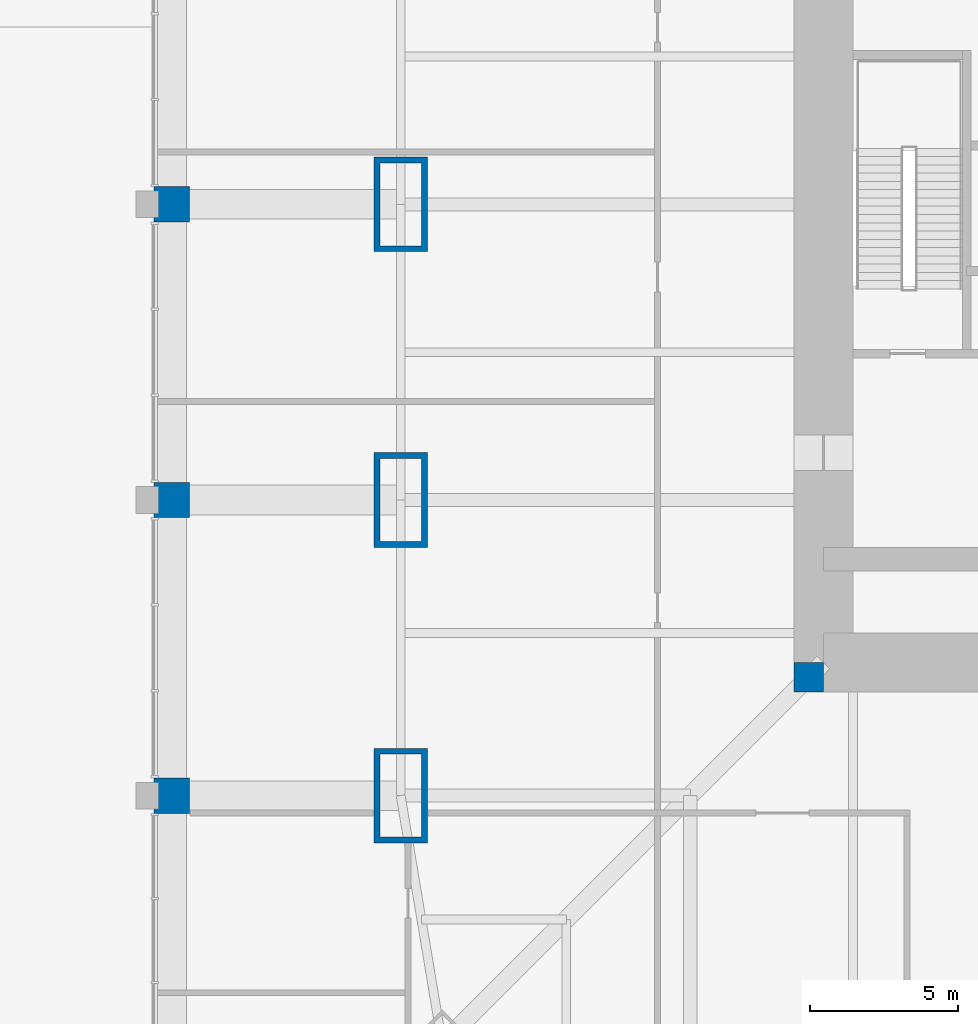
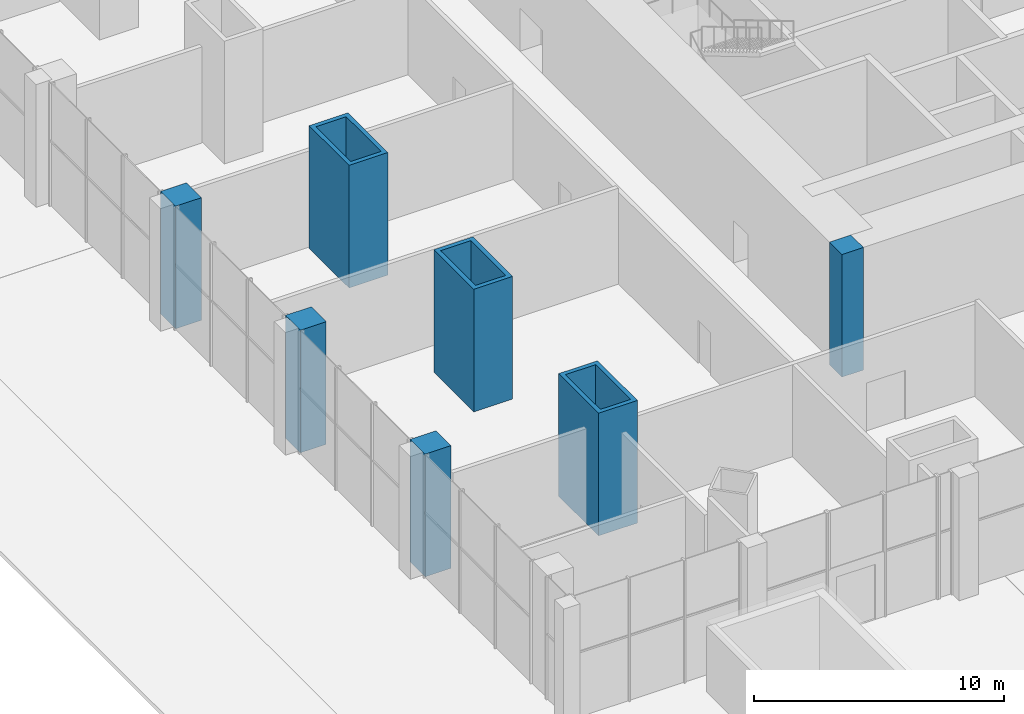
# One storey, part 3 of 31: 7 columns.
"""IFC4 building model written with IfcOpenShell, lengths in metres."""

from ifc_helpers import new_model, si_unit, direction, frame, origin, origin_2d, place, context, subcontext, project, spatial, rectangle, hollow_rectangle, extrude, material, material_profile, profile_set, type_object, element, save


model = new_model("IFC4")

# Units and contexts
model_context = context("Model", 3, precision=1e-05, world=origin(), true_north=direction((0.0, 1.0)))
body_context = subcontext(model_context, "Body", "Model", "MODEL_VIEW")
ifc_project = project(units=[si_unit("LENGTHUNIT", "METRE"), si_unit("AREAUNIT", "SQUARE_METRE"), si_unit("VOLUMEUNIT", "CUBIC_METRE"), si_unit("PLANEANGLEUNIT", "RADIAN"), si_unit("MASSUNIT", "GRAM", prefix="KILO")], contexts=[model_context])

# Site, building, storey
site_placement = place(None, origin())
site = spatial("IfcSite", under=ifc_project, at=site_placement, CompositionType="ELEMENT")
building_placement = place(site_placement, origin())
building = spatial("IfcBuilding", under=site, at=building_placement, Name="Khuree Lantern Residences", CompositionType="ELEMENT")
storey_placement = place(building_placement, origin())
storey = spatial("IfcBuildingStorey", under=building, at=storey_placement, Name="L00", CompositionType="ELEMENT", Elevation=0.0)

# Columns
ifc_material_1 = material(Name="Concrete C70/85", Category="concrete")
ifc_material_profile_1 = material_profile(ifc_material_1, rectangle(XDim=1.0, YDim=1.0, at=origin_2d()), Name="RC 1000X1000")
ifc_profile_set_1 = profile_set([ifc_material_profile_1], Name="Concrete C70/85")
column_type_1 = type_object("IfcColumnType", Name="CP1000-C70 CORE CORNER PIER C70 RC 1000X1000", PredefinedType="COLUMN", material=ifc_profile_set_1)
column_placement = place(storey_placement, frame((-16.0, -16.0, -0.300048828125), z_axis=(0.0, 0.0, 1.0), x_axis=(1.0, 0.0, 0.0)))
element("IfcColumn", 1, at=column_placement, inside=storey, type_object=column_type_1, Name="Core corner pier SW", PredefinedType="COLUMN", context=body_context, shape_type="SweptSolid", body=[
    extrude(rectangle(XDim=1.0, YDim=1.0, at=origin_2d()), origin(), (0.0, 0.0, 1.0), 6.0),
])
ifc_material_profile_2 = material_profile(ifc_material_1, rectangle(XDim=1.199951171875, YDim=1.199951171875, at=origin_2d()), Name="RC 1200X1200")
ifc_profile_set_2 = profile_set([ifc_material_profile_2], Name="Concrete C70/85")
column_type_2 = type_object("IfcColumnType", Name="GC1 PODIUM COLUMN RC 1200X1200", PredefinedType="COLUMN", material=ifc_profile_set_2)
for number, where, z_axis, x_axis, name in (
    (2, (-37.550048828125, -20.0, 0.0), (0.0, 0.0, 1.0), (1.0, 0.0, 0.0), "Column GC-19"),
    (3, (-37.550048828125, -10.0, 0.0), (0.0, 0.0, 1.0), (1.0, 0.0, 0.0), "Column GC-21"),
    (4, (-37.550048828125, 0.0, 0.0), (0.0, 0.0, 1.0), (1.0, 0.0, 0.0), "Column GC-23"),
):
    element("IfcColumn", number, at=place(storey_placement, frame(where, z_axis=z_axis, x_axis=x_axis)), inside=storey, type_object=column_type_2, Name=name, PredefinedType="COLUMN", context=body_context, shape_type="SweptSolid", body=[
        extrude(rectangle(XDim=1.199951171875, YDim=1.199951171875, at=origin_2d()), origin(), (0.0, 0.0, 1.0), 6.0),
    ])
ifc_material_2 = material(Name="Steel S355 CFT welded box", Category="steel")
ifc_material_profile_3 = material_profile(ifc_material_2, hollow_rectangle(XDim=3.199951171875, YDim=1.800048828125, WallThickness=0.199951171875, at=origin_2d()), Name="WELDED BOX 3200X1800X200")
ifc_profile_set_3 = profile_set([ifc_material_profile_3], Name="Steel S355 CFT welded box")
column_type_3 = type_object("IfcColumnType", Name="SC1 PERIMETER MEGA COLUMN WELDED BOX 3200X1800X200", PredefinedType="COLUMN", material=ifc_profile_set_3)
for number, where, z_axis, x_axis, name in (
    (5, (-29.800048828125, -20.0, 0.0), (0.0, 0.0, 1.0), (0.0, 1.0, 0.0), "Perimeter column W1"),
    (6, (-29.800048828125, -10.0, 0.0), (0.0, 0.0, 1.0), (0.0, 1.0, 0.0), "Perimeter column W2"),
    (7, (-29.800048828125, 0.0, 0.0), (0.0, 0.0, 1.0), (0.0, 1.0, 0.0), "Perimeter column W3"),
):
    element("IfcColumn", number, at=place(storey_placement, frame(where, z_axis=z_axis, x_axis=x_axis)), inside=storey, type_object=column_type_3, Name=name, PredefinedType="COLUMN", context=body_context, shape_type="SweptSolid", body=[
        extrude(hollow_rectangle(XDim=3.199951171875, YDim=1.800048828125, WallThickness=0.199951171875, at=origin_2d()), origin(), (0.0, 0.0, 1.0), 6.0),
    ])

save(model, "model.ifc")
